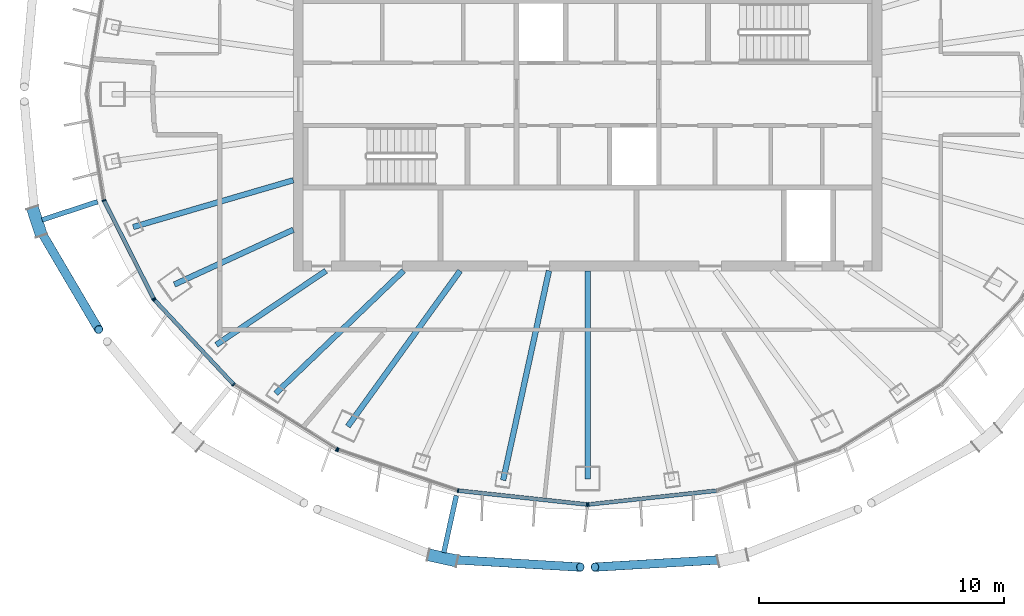
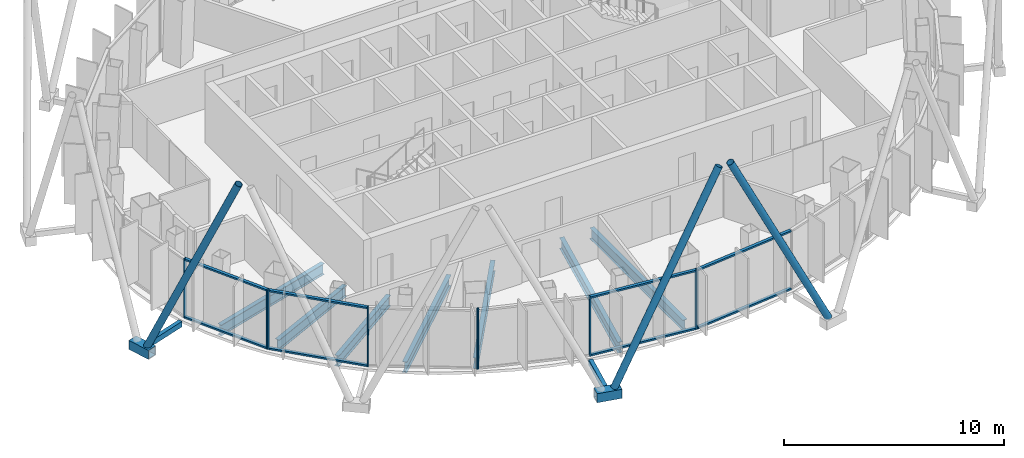
# One storey, part 2 of 18: 24 members, 7 beams, 4 elements without a shape of their own.
"""IFC4 building model written with IfcOpenShell, lengths in metres."""

from ifc_helpers import new_model, si_unit, direction, frame, origin, origin_2d, place, context, subcontext, project, spatial, rectangle, hollow_rectangle, hollow_circle, i_section, extrude, material, layer, layer_set, material_profile, profile_set, type_object, element, aggregate, save


model = new_model("IFC4")

# Units and contexts
model_context = context("Model", 3, precision=1e-05, world=origin(), true_north=direction((0.0, 1.0)))
body_context = subcontext(model_context, "Body", "Model", "MODEL_VIEW")
ifc_project = project(units=[si_unit("LENGTHUNIT", "METRE"), si_unit("AREAUNIT", "SQUARE_METRE"), si_unit("VOLUMEUNIT", "CUBIC_METRE"), si_unit("PLANEANGLEUNIT", "RADIAN"), si_unit("MASSUNIT", "GRAM", prefix="KILO")], contexts=[model_context])

# Site, building, storey
site_placement = place(None, origin())
site = spatial("IfcSite", under=ifc_project, at=site_placement, CompositionType="ELEMENT")
building_placement = place(site_placement, origin())
building = spatial("IfcBuilding", under=site, at=building_placement, Name="Siaravel Broadcast Tower", CompositionType="ELEMENT")
storey_placement = place(building_placement, frame((0.0, 0.0, 261.5)))
storey = spatial("IfcBuildingStorey", under=building, at=storey_placement, Name="L64", CompositionType="ELEMENT", Elevation=261.5)

# Beams
ifc_material_1 = material(Name="Steel S355", Category="steel")
ifc_material_profile_1 = material_profile(ifc_material_1, i_section(OverallWidth=0.2275390625, OverallDepth=0.6025390625, WebThickness=0.010498046875, FlangeThickness=0.014892578125, FilletRadius=0.0126953125, at=origin_2d()))
ifc_profile_set_1 = profile_set([ifc_material_profile_1], Name="Steel S355")
beam_type = type_object("IfcBeamType", Name="BM-UB 610x229x101", PredefinedType="BEAM", material=ifc_profile_set_1)
beam_1_placement = place(storey_placement, frame((-18.524658203125, -5.416015625, -0.451416015625), z_axis=(0.959814356, 0.280635711, 0.0), x_axis=(-0.280635711, 0.959814356, 0.0)))
element("IfcBeam", 1, at=beam_1_placement, inside=storey, type_object=beam_type, Name="Radial beam RB21", PredefinedType="BEAM", context=body_context, shape_type="SweptSolid", body=[
    extrude(i_section(OverallWidth=0.2275390625, OverallDepth=0.6025390625, WebThickness=0.010498046875, FlangeThickness=0.014892578125, FilletRadius=0.0126953125, at=origin_2d()), origin(), (0.0, 0.0, 1.0), 6.7978515625),
])
beam_2_placement = place(storey_placement, frame((-16.84716796875, -7.7587890625, -0.451416015625), z_axis=(0.908296515, 0.418326954, 0.0), x_axis=(-0.418326954, 0.908296515, 0.0)))
element("IfcBeam", 2, at=beam_2_placement, inside=storey, type_object=beam_type, Name="Radial beam RB22", PredefinedType="BEAM", context=body_context, shape_type="SweptSolid", body=[
    extrude(i_section(OverallWidth=0.2275390625, OverallDepth=0.6025390625, WebThickness=0.010498046875, FlangeThickness=0.014892578125, FilletRadius=0.0126953125, at=origin_2d()), origin(), (0.0, 0.0, 1.0), 5.336669921875),
])
beam_3_placement = place(storey_placement, frame((-15.138671875, -10.216796875, -0.451416015625), z_axis=(0.828881737, 0.559423869, 0.0), x_axis=(-0.559423869, 0.828881737, 0.0)))
element("IfcBeam", 3, at=beam_3_placement, inside=storey, type_object=beam_type, Name="Radial beam RB23", PredefinedType="BEAM", context=body_context, shape_type="SweptSolid", body=[
    extrude(i_section(OverallWidth=0.2275390625, OverallDepth=0.6025390625, WebThickness=0.010498046875, FlangeThickness=0.014892578125, FilletRadius=0.0126953125, at=origin_2d()), origin(), (0.0, 0.0, 1.0), 5.392822265625),
])
beam_4_placement = place(storey_placement, frame((-12.718505859375, -12.19873046875, -0.451416015625), z_axis=(0.721693293, 0.692212966, 0.0), x_axis=(-0.692212966, 0.721693293, 0.0)))
element("IfcBeam", 4, at=beam_4_placement, inside=storey, type_object=beam_type, Name="Radial beam RB24", PredefinedType="BEAM", context=body_context, shape_type="SweptSolid", body=[
    extrude(i_section(OverallWidth=0.2275390625, OverallDepth=0.6025390625, WebThickness=0.010498046875, FlangeThickness=0.014892578125, FilletRadius=0.0126953125, at=origin_2d()), origin(), (0.0, 0.0, 1.0), 7.221435546875),
])
beam_5_placement = place(storey_placement, frame((-9.775390625, -13.541748046875, -0.451416015625), z_axis=(0.585296794, 0.810819131, 0.0), x_axis=(-0.810819131, 0.585296794, 0.0)))
element("IfcBeam", 5, at=beam_5_placement, inside=storey, type_object=beam_type, Name="Radial beam RB25", PredefinedType="BEAM", context=body_context, shape_type="SweptSolid", body=[
    extrude(i_section(OverallWidth=0.2275390625, OverallDepth=0.6025390625, WebThickness=0.010498046875, FlangeThickness=0.014892578125, FilletRadius=0.0126953125, at=origin_2d()), origin(), (0.0, 0.0, 1.0), 7.821533203125),
])
beam_6_placement = place(storey_placement, frame((-3.444091796875, -15.738037109375, -0.451416015625), z_axis=(0.213773519, 0.976883249, 0.0), x_axis=(-0.976883249, 0.213773519, 0.0)))
element("IfcBeam", 6, at=beam_6_placement, inside=storey, type_object=beam_type, Name="Radial beam RB27", PredefinedType="BEAM", context=body_context, shape_type="SweptSolid", body=[
    extrude(i_section(OverallWidth=0.2275390625, OverallDepth=0.6025390625, WebThickness=0.010498046875, FlangeThickness=0.014892578125, FilletRadius=0.0126953125, at=origin_2d()), origin(), (0.0, 0.0, 1.0), 8.740234375),
])
beam_7_placement = place(storey_placement, frame((0.0, -15.684814453125, -0.451416015625), z_axis=(0.0, 1.0, 0.0), x_axis=(-1.0, 0.0, 0.0)))
element("IfcBeam", 7, at=beam_7_placement, inside=storey, type_object=beam_type, Name="Radial beam RB28", PredefinedType="BEAM", context=body_context, shape_type="SweptSolid", body=[
    extrude(i_section(OverallWidth=0.2275390625, OverallDepth=0.6025390625, WebThickness=0.010498046875, FlangeThickness=0.014892578125, FilletRadius=0.0126953125, at=origin_2d()), origin(), (0.0, 0.0, 1.0), 8.48486328125),
])

# Curtain wall, members
ifc_material_2 = material(Name="Aluminium 6063-T6", Category="aluminium")
ifc_layer = layer(ifc_material_2, 0.159912109375)
ifc_layer_set = layer_set([ifc_layer], Name="Aluminium 6063-T6")
curtain_wall_type = type_object("IfcCurtainWallType", Name="Unitised curtain wall, zone 4", PredefinedType="NOTDEFINED", material=ifc_layer_set)
curtain_wall_1_placement = place(storey_placement, origin())
curtain_wall_1 = element("IfcCurtainWall", 8, at=curtain_wall_1_placement, inside=storey, type_object=curtain_wall_type, Name="L64 Unitised curtain wall, zone 4 07", PredefinedType="NOTDEFINED")
ifc_material_profile_2 = material_profile(ifc_material_2, rectangle(XDim=0.159912109375, YDim=0.054931640625, at=origin_2d()))
ifc_profile_set_2 = profile_set([ifc_material_profile_2], Name="Aluminium 6063-T6")
member_type_1 = type_object("IfcMemberType", Name="CW-Z4 mullion", PredefinedType="MULLION", material=ifc_profile_set_2)
member_1_placement = place(storey_placement, frame((-19.71728515625, -4.33251953125, 0.0), z_axis=(0.0, 0.0, 1.0), x_axis=(0.951177692, 0.308643803, 0.0)))
member_1 = element("IfcMember", 9, at=member_1_placement, type_object=member_type_1, Name="CW-Z4 mullion 2", PredefinedType="MULLION", context=body_context, shape_type="SweptSolid", body=[
    extrude(rectangle(XDim=0.159912109375, YDim=0.054931640625, at=origin_2d()), origin(), (0.0, 0.0, 1.0), 3.300048828125),
])
member_2_placement = place(storey_placement, frame((-17.688720703125, -8.34423828125, 0.0), z_axis=(0.0, 0.0, 1.0), x_axis=(0.892393056, 0.451258942, 0.0)))
member_2 = element("IfcMember", 10, at=member_2_placement, type_object=member_type_1, Name="CW-Z4 mullion 3", PredefinedType="MULLION", context=body_context, shape_type="SweptSolid", body=[
    extrude(rectangle(XDim=0.159912109375, YDim=0.054931640625, at=origin_2d()), origin(), (0.0, 0.0, 1.0), 3.300048828125),
])

curtain_wall_2_placement = place(storey_placement, origin())
curtain_wall_2 = element("IfcCurtainWall", 11, at=curtain_wall_2_placement, inside=storey, type_object=curtain_wall_type, Name="L64 Unitised curtain wall, zone 4 08", PredefinedType="NOTDEFINED")
member_3_placement = place(storey_placement, frame((-17.657470703125, -8.388916015625, 0.0), z_axis=(0.0, 0.0, 1.0), x_axis=(0.729806776, 0.683653472, 0.0)))
member_3 = element("IfcMember", 12, at=member_3_placement, type_object=member_type_1, Name="CW-Z4 mullion 1", PredefinedType="MULLION", context=body_context, shape_type="SweptSolid", body=[
    extrude(rectangle(XDim=0.159912109375, YDim=0.054931640625, at=origin_2d()), origin(), (0.0, 0.0, 1.0), 3.300048828125),
])
member_4_placement = place(storey_placement, frame((-14.430908203125, -11.833251953125, 0.0), z_axis=(0.0, 0.0, 1.0), x_axis=(0.636220164, 0.771507552, 0.0)))
member_4 = element("IfcMember", 13, at=member_4_placement, type_object=member_type_1, Name="CW-Z4 mullion 2", PredefinedType="MULLION", context=body_context, shape_type="SweptSolid", body=[
    extrude(rectangle(XDim=0.159912109375, YDim=0.054931640625, at=origin_2d()), origin(), (0.0, 0.0, 1.0), 3.300048828125),
])
member_5_placement = place(storey_placement, frame((-10.226318359375, -14.475830078125, 0.0), z_axis=(0.0, 0.0, 1.0), x_axis=(0.532150684, 0.846649661, 0.0)))
member_5 = element("IfcMember", 14, at=member_5_placement, type_object=member_type_1, Name="CW-Z4 mullion 3", PredefinedType="MULLION", context=body_context, shape_type="SweptSolid", body=[
    extrude(rectangle(XDim=0.159912109375, YDim=0.054931640625, at=origin_2d()), origin(), (0.0, 0.0, 1.0), 3.300048828125),
])

curtain_wall_3_placement = place(storey_placement, origin())
curtain_wall_3 = element("IfcCurtainWall", 15, at=curtain_wall_3_placement, inside=storey, type_object=curtain_wall_type, Name="L64 Unitised curtain wall, zone 4 09", PredefinedType="NOTDEFINED")
member_6_placement = place(storey_placement, frame((-10.177001953125, -14.499267578125, 0.0), z_axis=(0.0, 0.0, 1.0), x_axis=(0.321301606, 0.946976915, 0.0)))
member_6 = element("IfcMember", 16, at=member_6_placement, type_object=member_type_1, Name="CW-Z4 mullion 1", PredefinedType="MULLION", context=body_context, shape_type="SweptSolid", body=[
    extrude(rectangle(XDim=0.159912109375, YDim=0.054931640625, at=origin_2d()), origin(), (0.0, 0.0, 1.0), 3.300048828125),
])
member_7_placement = place(storey_placement, frame((-5.28125, -16.160400390625, 0.0), z_axis=(0.0, 0.0, 1.0), x_axis=(0.215558742, 0.976490875, 0.0)))
member_7 = element("IfcMember", 17, at=member_7_placement, type_object=member_type_1, Name="CW-Z4 mullion 2", PredefinedType="MULLION", context=body_context, shape_type="SweptSolid", body=[
    extrude(rectangle(XDim=0.159912109375, YDim=0.054931640625, at=origin_2d()), origin(), (0.0, 0.0, 1.0), 3.300048828125),
])
member_8_placement = place(storey_placement, frame((-0.02734375, -16.72705078125, 0.0), z_axis=(0.0, 0.0, 1.0), x_axis=(0.107217829, 0.994235554, 0.0)))
member_8 = element("IfcMember", 18, at=member_8_placement, type_object=member_type_1, Name="CW-Z4 mullion 3", PredefinedType="MULLION", context=body_context, shape_type="SweptSolid", body=[
    extrude(rectangle(XDim=0.159912109375, YDim=0.054931640625, at=origin_2d()), origin(), (0.0, 0.0, 1.0), 3.300048828125),
])

# Curtain wall, member
curtain_wall_4_placement = place(storey_placement, origin())
curtain_wall_4 = element("IfcCurtainWall", 19, at=curtain_wall_4_placement, inside=storey, type_object=curtain_wall_type, Name="L64 Unitised curtain wall, zone 4 10", PredefinedType="NOTDEFINED")
member_9_placement = place(storey_placement, frame((0.02734375, -16.72705078125, 0.0), z_axis=(0.0, 0.0, 1.0), x_axis=(-0.107217829, 0.994235554, 0.0)))
member_9 = element("IfcMember", 20, at=member_9_placement, type_object=member_type_1, Name="CW-Z4 mullion 1", PredefinedType="MULLION", context=body_context, shape_type="SweptSolid", body=[
    extrude(rectangle(XDim=0.159912109375, YDim=0.054931640625, at=origin_2d()), origin(), (0.0, 0.0, 1.0), 3.300048828125),
])

# Member
ifc_material_profile_3 = material_profile(ifc_material_2, rectangle(XDim=0.159912109375, YDim=0.090087890625, at=origin_2d()))
ifc_profile_set_3 = profile_set([ifc_material_profile_3], Name="Aluminium 6063-T6")
member_type_2 = type_object("IfcMemberType", Name="CW-Z4 transom", PredefinedType="USERDEFINED", material=ifc_profile_set_3)
member_10_placement = place(storey_placement, frame((-19.70458984375, -4.357177734375, 0.044921875), z_axis=(0.45125586, -0.892394615, 0.0), x_axis=(0.892394615, 0.45125586, 0.0)))
member_10 = element("IfcMember", 21, at=member_10_placement, type_object=member_type_2, Name="CW-Z4 transom 2", ObjectType="TRANSOM", PredefinedType="USERDEFINED", context=body_context, shape_type="SweptSolid", body=[
    extrude(rectangle(XDim=0.159912109375, YDim=0.090087890625, at=origin_2d()), origin(), (0.0, 0.0, 1.0), 4.440185546875),
])

member_11_placement = place(storey_placement, frame((-19.70458984375, -4.357177734375, 3.2548828125), z_axis=(0.45125586, -0.892394615, 0.0), x_axis=(0.892394615, 0.45125586, 0.0)))
member_11 = element("IfcMember", 22, at=member_11_placement, type_object=member_type_2, Name="CW-Z4 transom 2", ObjectType="TRANSOM", PredefinedType="USERDEFINED", context=body_context, shape_type="SweptSolid", body=[
    extrude(rectangle(XDim=0.159912109375, YDim=0.090087890625, at=origin_2d()), origin(), (0.0, 0.0, 1.0), 4.440185546875),
])

aggregate(curtain_wall_1, [member_1, member_2, member_10, member_11])

member_12_placement = place(storey_placement, frame((-17.638671875, -8.408935546875, 0.044921875), z_axis=(0.683648586, -0.729811353, 0.0), x_axis=(0.729811353, 0.683648586, 0.0)))
member_12 = element("IfcMember", 23, at=member_12_placement, type_object=member_type_2, Name="CW-Z4 transom 1", ObjectType="TRANSOM", PredefinedType="USERDEFINED", context=body_context, shape_type="SweptSolid", body=[
    extrude(rectangle(XDim=0.159912109375, YDim=0.090087890625, at=origin_2d()), origin(), (0.0, 0.0, 1.0), 4.66455078125),
])

member_13_placement = place(storey_placement, frame((-17.638671875, -8.408935546875, 3.2548828125), z_axis=(0.683648586, -0.729811353, 0.0), x_axis=(0.729811353, 0.683648586, 0.0)))
member_13 = element("IfcMember", 24, at=member_13_placement, type_object=member_type_2, Name="CW-Z4 transom 1", ObjectType="TRANSOM", PredefinedType="USERDEFINED", context=body_context, shape_type="SweptSolid", body=[
    extrude(rectangle(XDim=0.159912109375, YDim=0.090087890625, at=origin_2d()), origin(), (0.0, 0.0, 1.0), 4.66455078125),
])

aggregate(curtain_wall_2, [member_3, member_4, member_5, member_12, member_13])

member_14_placement = place(storey_placement, frame((-5.25390625, -16.163330078125, 0.044921875), z_axis=(0.994233311, -0.107238632, 0.0), x_axis=(0.107238632, 0.994233311, 0.0)))
member_14 = element("IfcMember", 25, at=member_14_placement, type_object=member_type_2, Name="CW-Z4 transom 2", ObjectType="TRANSOM", PredefinedType="USERDEFINED", context=body_context, shape_type="SweptSolid", body=[
    extrude(rectangle(XDim=0.159912109375, YDim=0.090087890625, at=origin_2d()), origin(), (0.0, 0.0, 1.0), 5.2294921875),
])

member_15_placement = place(storey_placement, frame((-5.25390625, -16.163330078125, 3.2548828125), z_axis=(0.994233311, -0.107238632, 0.0), x_axis=(0.107238632, 0.994233311, 0.0)))
member_15 = element("IfcMember", 26, at=member_15_placement, type_object=member_type_2, Name="CW-Z4 transom 2", ObjectType="TRANSOM", PredefinedType="USERDEFINED", context=body_context, shape_type="SweptSolid", body=[
    extrude(rectangle(XDim=0.159912109375, YDim=0.090087890625, at=origin_2d()), origin(), (0.0, 0.0, 1.0), 5.2294921875),
])

aggregate(curtain_wall_3, [member_6, member_7, member_8, member_14, member_15])

member_16_placement = place(storey_placement, frame((0.0546875, -16.72412109375, 0.044921875), z_axis=(0.994233311, 0.107238632, 0.0), x_axis=(-0.107238632, 0.994233311, 0.0)))
member_16 = element("IfcMember", 27, at=member_16_placement, type_object=member_type_2, Name="CW-Z4 transom 1", ObjectType="TRANSOM", PredefinedType="USERDEFINED", context=body_context, shape_type="SweptSolid", body=[
    extrude(rectangle(XDim=0.159912109375, YDim=0.090087890625, at=origin_2d()), origin(), (0.0, 0.0, 1.0), 5.2294921875),
])

member_17_placement = place(storey_placement, frame((0.0546875, -16.72412109375, 3.2548828125), z_axis=(0.994233311, 0.107238632, 0.0), x_axis=(-0.107238632, 0.994233311, 0.0)))
member_17 = element("IfcMember", 28, at=member_17_placement, type_object=member_type_2, Name="CW-Z4 transom 1", ObjectType="TRANSOM", PredefinedType="USERDEFINED", context=body_context, shape_type="SweptSolid", body=[
    extrude(rectangle(XDim=0.159912109375, YDim=0.090087890625, at=origin_2d()), origin(), (0.0, 0.0, 1.0), 5.2294921875),
])

aggregate(curtain_wall_4, [member_9, member_16, member_17])

# Members
ifc_material_3 = material(Name="Steel S460", Category="steel")
ifc_material_profile_4 = material_profile(ifc_material_3, hollow_circle(Radius=0.177734375, WallThickness=0.012451171875, at=origin_2d()))
ifc_profile_set_4 = profile_set([ifc_material_profile_4], Name="Steel S460")
member_type_3 = type_object("IfcMemberType", Name="Diagrid diagonal CHS 355.6x12.5", PredefinedType="BRACE", material=ifc_profile_set_4)
member_18_placement = place(storey_placement, frame((-22.358154296875, -5.47412109375, 0.02001953125), z_axis=(0.207740369, -0.35279505, 0.912348394), x_axis=(0.86170584, 0.507408165, 0.0)))
element("IfcMember", 29, at=member_18_placement, inside=storey, type_object=member_type_3, Name="Diagrid diagonal R26 station 39A", PredefinedType="BRACE", context=body_context, shape_type="SweptSolid", body=[
    extrude(hollow_circle(Radius=0.177734375, WallThickness=0.012451171875, at=origin_2d()), origin(), (0.0, 0.0, 1.0), 11.68408203125),
])
for number, where, z_axis, x_axis, name in (
    (30, (-5.6220703125, -18.968017578125, 0.02001953125), (0.446822791, -0.026174063, 0.894239516), (0.058477928, 0.998288702, 0.0), "Diagrid diagonal R26 station 51A"),
    (31, (5.6220703125, -18.968017578125, 0.02001953125), (-0.446822791, -0.026174063, 0.894239516), (0.058477928, -0.998288702, 0.0), "Diagrid diagonal R26 station 57C"),
):
    element("IfcMember", number, at=place(storey_placement, frame(where, z_axis=z_axis, x_axis=x_axis)), inside=storey, type_object=member_type_3, Name=name, PredefinedType="BRACE", context=body_context, shape_type="SweptSolid", body=[
        extrude(hollow_circle(Radius=0.177734375, WallThickness=0.012451171875, at=origin_2d()), origin(), (0.0, 0.0, 1.0), 11.920654296875),
    ])
ifc_material_profile_5 = material_profile(ifc_material_3, hollow_rectangle(XDim=0.5, YDim=0.5, WallThickness=0.031982421875, at=origin_2d()))
ifc_profile_set_5 = profile_set([ifc_material_profile_5], Name="Steel S460")
member_type_4 = type_object("IfcMemberType", Name="Diagrid node BOX 500x500x32", PredefinedType="USERDEFINED", material=ifc_profile_set_5)
for number, where, z_axis, x_axis, name in (
    (32, (-22.634521484375, -4.62939453125, -0.199951171875), (0.31103906, -0.950397129, 0.0), (0.950397129, 0.31103906, 0.0), "Diagrid node R26 station 39"),
    (33, (-6.490234375, -18.77734375, -0.199951171875), (0.97675485, -0.214359426, 0.0), (0.214359426, 0.97675485, 0.0), "Diagrid node R26 station 51"),
):
    element("IfcMember", number, at=place(storey_placement, frame(where, z_axis=z_axis, x_axis=x_axis)), inside=storey, type_object=member_type_4, Name=name, ObjectType="DIAGRID NODE", PredefinedType="USERDEFINED", context=body_context, shape_type="SweptSolid", body=[
        extrude(hollow_rectangle(XDim=0.5, YDim=0.5, WallThickness=0.031982421875, at=origin_2d()), origin(), (0.0, 0.0, 1.0), 1.186767578125),
    ])
ifc_material_profile_6 = material_profile(ifc_material_3, hollow_rectangle(XDim=0.199951171875, YDim=0.300048828125, WallThickness=0.012451171875, at=origin_2d()))
ifc_profile_set_6 = profile_set([ifc_material_profile_6], Name="Steel S460")
member_type_5 = type_object("IfcMemberType", Name="Diagrid node arm RHS 300x200x12.5", PredefinedType="STRUT", material=ifc_profile_set_6)
for number, where, z_axis, x_axis, name in (
    (34, (-19.978759765625, -4.385009765625, -0.199951171875), (-0.950442877, -0.31089924, 0.0), (0.31089924, -0.950442877, 0.0), "Node arm R26 station 39"),
    (35, (-5.353271484375, -16.364990234375, -0.199951171875), (-0.2143882, -0.976748535, 0.0), (0.976748535, -0.2143882, 0.0), "Node arm R26 station 51"),
):
    element("IfcMember", number, at=place(storey_placement, frame(where, z_axis=z_axis, x_axis=x_axis)), inside=storey, type_object=member_type_5, Name=name, PredefinedType="STRUT", context=body_context, shape_type="SweptSolid", body=[
        extrude(hollow_rectangle(XDim=0.199951171875, YDim=0.300048828125, WallThickness=0.012451171875, at=origin_2d()), origin(), (0.0, 0.0, 1.0), 2.380126953125),
    ])

save(model, "model.ifc")
